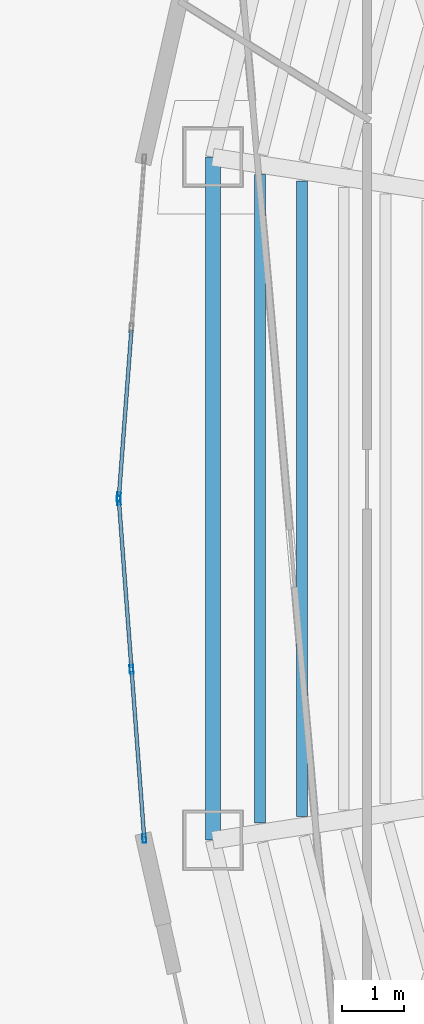
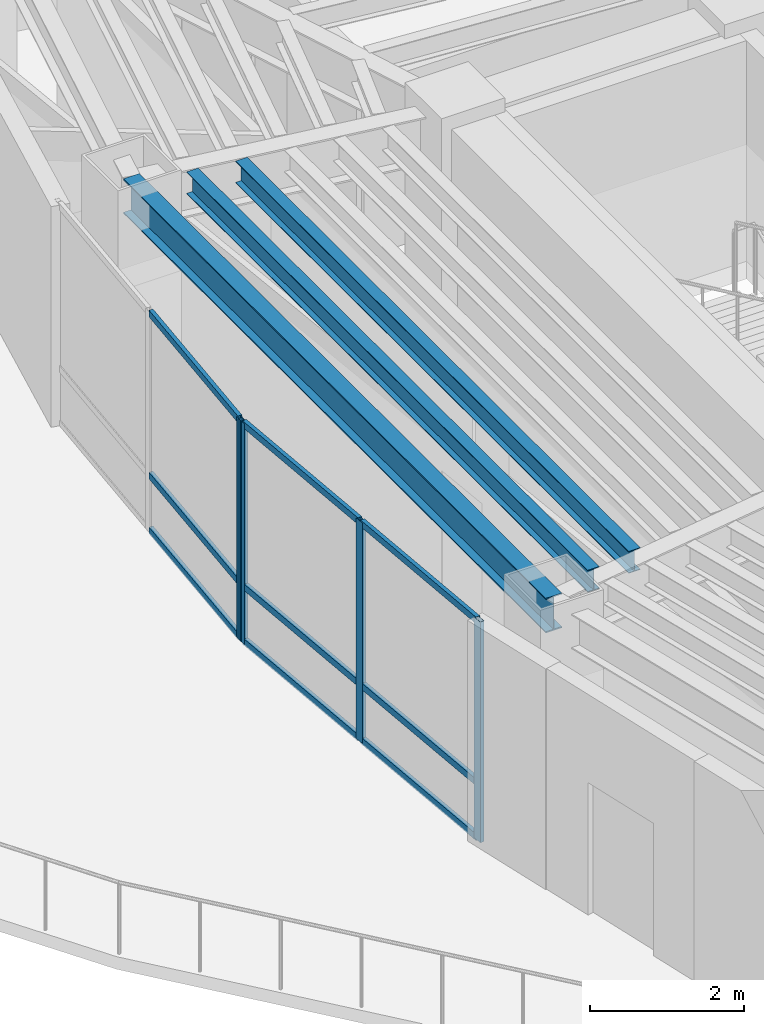
# One storey, part 2 of 17: 13 members, 3 beams, 2 elements without a shape of their own.
"""IFC4 building model written with IfcOpenShell, lengths in metres."""

import ifcopenshell
import ifcopenshell.guid

model = None  # the IFC model being written
_history = None  # IfcOwnerHistory: only IFC2X3 demands one
_inside = {}  # id of a spatial element -> (the spatial element, [elements in it])
_under = {}  # id of a project, library or spatial element -> (it, [spatial elements below it])
_declared = {}  # id of a project -> (the project, [libraries it declares])
_typed = {}  # id of a type object -> (the type object, [elements of that type])
_made_of = {}  # id of a material, layer set ... -> (it, [elements and type objects made of it])


def new_model(schema):
    """Start an empty IFC model of exactly this schema.

    Asked for "IFC4X3", IfcOpenShell would pick the latest addendum, in which some entities
    have other attributes; the version numbers below select the first issue.
    IFC2X3 requires an IfcOwnerHistory on every rooted entity: one is made here for all.
    """
    global model, _history
    if schema == "IFC4X3":
        model = ifcopenshell.file(schema_version=(4, 3, 0, 0))
    else:
        model = ifcopenshell.file(schema=schema)
    _inside.clear()
    _under.clear()
    _declared.clear()
    _typed.clear()
    _made_of.clear()
    _history = None
    if model.schema == "IFC2X3":
        org = make("IfcOrganization", Name="unknown")
        user = make(
            "IfcPersonAndOrganization",
            ThePerson=make("IfcPerson", FamilyName="unknown"),
            TheOrganization=org,
        )
        app = make(
            "IfcApplication",
            ApplicationDeveloper=org,
            Version="unknown",
            ApplicationFullName="unknown",
            ApplicationIdentifier="unknown",
        )
        _history = make(
            "IfcOwnerHistory",
            OwningUser=user,
            OwningApplication=app,
            ChangeAction="ADDED",
            CreationDate=0,
        )
    return model


def make(cls, **values):
    """One entity of the class cls with the attributes given. An attribute that is None is left unset."""
    return model.create_entity(
        cls, **{name: value for name, value in values.items() if value is not None}
    )


def rooted(cls, **values):
    """An entity with a GlobalId (a new one), such as an element, a storey or a relation."""
    return make(cls, GlobalId=ifcopenshell.guid.new(), OwnerHistory=_history, **values)


def si_unit(unit_type, name, prefix=None):
    """IfcSIUnit, for example si_unit("LENGTHUNIT", "METRE", prefix="MILLI")."""
    return make("IfcSIUnit", UnitType=unit_type, Prefix=prefix, Name=name)


def assignment(units):
    """IfcUnitAssignment: the units of a project."""
    return None if units is None else make("IfcUnitAssignment", Units=units)


def point(xyz):
    """IfcCartesianPoint."""
    return None if xyz is None else make("IfcCartesianPoint", Coordinates=xyz)


def direction(xyz):
    """IfcDirection."""
    return None if xyz is None else make("IfcDirection", DirectionRatios=xyz)


def frame(location, z_axis=None, x_axis=None):
    """IfcAxis2Placement3D, a coordinate frame: its origin and axes. An axis left out is left unset."""
    return make(
        "IfcAxis2Placement3D",
        Location=point(location),
        Axis=direction(z_axis),
        RefDirection=direction(x_axis),
    )


def frame_2d(location, x_axis=None):
    """IfcAxis2Placement2D, a coordinate frame in the plane: its origin and x axis."""
    return make(
        "IfcAxis2Placement2D", Location=point(location), RefDirection=direction(x_axis)
    )


def origin():
    """The frame at (0, 0, 0) with its axes left unset."""
    return frame((0.0, 0.0, 0.0))


def origin_2d():
    """The frame at (0, 0) in the plane with its x axis left unset."""
    return frame_2d((0.0, 0.0))


def place(relative_to, where):
    """IfcLocalPlacement: puts the frame where relative to a parent placement (None: the world)."""
    return make(
        "IfcLocalPlacement", PlacementRelTo=relative_to, RelativePlacement=where
    )


def context(
    kind, dimensions, precision=None, world=None, true_north=None, identifier=None
):
    """IfcGeometricRepresentationContext, for example the 3D "Model" context."""
    return make(
        "IfcGeometricRepresentationContext",
        ContextIdentifier=identifier,
        ContextType=kind,
        CoordinateSpaceDimension=dimensions,
        Precision=precision,
        WorldCoordinateSystem=world,
        TrueNorth=true_north,
    )


def subcontext(parent, identifier, kind, view, scale=None):
    """IfcGeometricRepresentationSubContext, for example "Body" below "Model"."""
    return make(
        "IfcGeometricRepresentationSubContext",
        ContextIdentifier=identifier,
        ContextType=kind,
        ParentContext=parent,
        TargetScale=scale,
        TargetView=view,
    )


def project(units=None, contexts=None):
    """IfcProject with its units and contexts."""
    return rooted(
        "IfcProject",
        Name="project",
        RepresentationContexts=contexts,
        UnitsInContext=assignment(units),
    )


def spatial(cls, under=None, at=None, **own):
    """A site, building, storey or space (cls), placed at a placement, below another one or the project."""
    s = rooted(cls, ObjectPlacement=at, **own)
    if under is not None:
        _under.setdefault(under.id(), (under, []))[1].append(s)
    return s


def profile(cls, at=None, kind="AREA", **sizes):
    """A parametric profile (cls). Its sizes go by their IFC names, for example OverallWidth=200.0."""
    return make(cls, ProfileType=kind, Position=at, **sizes)


def hollow_rectangle(**sizes):
    """IfcRectangleHollowProfileDef."""
    return profile("IfcRectangleHollowProfileDef", **sizes)


def i_section(**sizes):
    """IfcIShapeProfileDef."""
    return profile("IfcIShapeProfileDef", **sizes)


def extrude(swept, where, along, depth):
    """IfcExtrudedAreaSolid: the profile swept, set in the frame where, extruded along a direction by depth."""
    return make(
        "IfcExtrudedAreaSolid",
        SweptArea=swept,
        Position=where,
        ExtrudedDirection=direction(along),
        Depth=depth,
    )


def shape(context_of_items, identifier, shape_type, items):
    """IfcShapeRepresentation: the items that make up one representation, for example the "Body"."""
    return make(
        "IfcShapeRepresentation",
        ContextOfItems=context_of_items,
        RepresentationIdentifier=identifier,
        RepresentationType=shape_type,
        Items=items,
    )


def material(Name=None, Category=None):
    """IfcMaterial."""
    return make("IfcMaterial", Name=Name, Category=Category)


def layer(
    of_material, thickness, ventilated=None, Name=None, Category=None, Priority=None
):
    """IfcMaterialLayer: one layer of a wall or slab, of a material (None: an air gap)."""
    return make(
        "IfcMaterialLayer",
        Material=of_material,
        LayerThickness=thickness,
        IsVentilated=ventilated,
        Name=Name,
        Category=Category,
        Priority=Priority,
    )


def layer_set(layers, Name=None):
    """IfcMaterialLayerSet."""
    return make("IfcMaterialLayerSet", MaterialLayers=layers, LayerSetName=Name)


def material_profile(
    of_material, cross_section, Name=None, Category=None, Priority=None
):
    """IfcMaterialProfile: a cross section and its material."""
    return make(
        "IfcMaterialProfile",
        Name=Name,
        Material=of_material,
        Profile=cross_section,
        Priority=Priority,
        Category=Category,
    )


def profile_set(profiles, Name=None, composite=None):
    """IfcMaterialProfileSet."""
    return make(
        "IfcMaterialProfileSet",
        Name=Name,
        MaterialProfiles=profiles,
        CompositeProfile=composite,
    )


def made_of(thing, what):
    """Note that an element or type object is made of a material, layer set ...; save() writes the relation."""
    if what is not None:
        _made_of.setdefault(what.id(), (what, []))[1].append(thing)
    return thing


def type_object(cls, material=None, **own):
    """A type object (cls), such as IfcWallType, which elements share."""
    return made_of(rooted(cls, **own), material)


def element(
    cls,
    number,
    at=None,
    inside=None,
    cuts=None,
    type_object=None,
    material=None,
    context=None,
    identifier="Body",
    shape_type=None,
    held_by="IfcProductDefinitionShape",
    body=None,
    shapes=None,
    **own,
):
    """One element of the class cls, such as IfcWall. Its Tag is "e" and its number.

    at: its placement. inside: the storey or other place that contains it. cuts: it is an
    opening in that element (IfcRelVoidsElement). A single representation is given by context,
    identifier, shape_type and body (its items); several are given by shapes. held_by: the class
    of the entity that holds the representations. save() writes the other relations.
    """
    e = rooted(cls, Tag="e%d" % number, ObjectPlacement=at, **own)
    if body is not None:
        shapes = [shape(context, identifier, shape_type, body)]
    if shapes is not None:
        e.Representation = make(held_by, Representations=shapes)
    if inside is not None:
        _inside.setdefault(inside.id(), (inside, []))[1].append(e)
    if cuts is not None:
        rooted(
            "IfcRelVoidsElement", RelatingBuildingElement=cuts, RelatedOpeningElement=e
        )
    if type_object is not None:
        _typed.setdefault(type_object.id(), (type_object, []))[1].append(e)
    return made_of(e, material)


def aggregate(whole, parts):
    """IfcRelAggregates: a whole, such as a stair, and the parts it consists of."""
    return rooted("IfcRelAggregates", RelatingObject=whole, RelatedObjects=parts)


def save(model, path):
    """Write the relations noted so far, then the file.

    IfcRelAggregates (storeys below a building ...), IfcRelContainedInSpatialStructure (elements
    in a storey), IfcRelDefinesByType, IfcRelAssociatesMaterial and IfcRelDeclares: one each for
    every whole, place, type object, material and project.
    """
    for whole, parts in _under.values():
        aggregate(whole, parts)
    for where, things in _inside.values():
        rooted(
            "IfcRelContainedInSpatialStructure",
            RelatedElements=things,
            RelatingStructure=where,
        )
    for kind, things in _typed.values():
        rooted("IfcRelDefinesByType", RelatedObjects=things, RelatingType=kind)
    for what, things in _made_of.values():
        rooted("IfcRelAssociatesMaterial", RelatedObjects=things, RelatingMaterial=what)
    for by, libraries in _declared.values():
        rooted("IfcRelDeclares", RelatingContext=by, RelatedDefinitions=libraries)
    model.write(path)


model = new_model("IFC4")

# Units and contexts
model_context = context("Model", 3, precision=1e-05, world=origin(), true_north=direction((0.0, 1.0)))
body_context = subcontext(model_context, "Body", "Model", "MODEL_VIEW")
ifc_project = project(units=[si_unit("LENGTHUNIT", "METRE"), si_unit("AREAUNIT", "SQUARE_METRE"), si_unit("VOLUMEUNIT", "CUBIC_METRE"), si_unit("PLANEANGLEUNIT", "RADIAN"), si_unit("MASSUNIT", "GRAM", prefix="KILO")], contexts=[model_context])

# Site, building, storey
site_placement = place(None, origin())
site = spatial("IfcSite", under=ifc_project, at=site_placement, CompositionType="ELEMENT")
building_placement = place(site_placement, origin())
building = spatial("IfcBuilding", under=site, at=building_placement, Name="Menara Vayukalpa", CompositionType="ELEMENT")
storey_placement = place(building_placement, frame((0.0, 0.0, 206.39990234375)))
storey = spatial("IfcBuildingStorey", under=building, at=storey_placement, Name="L52", CompositionType="ELEMENT", Elevation=206.39990234375)

# Beams
ifc_material_1 = material(Name="Steel S355", Category="steel")
ifc_material_profile_1 = material_profile(ifc_material_1, i_section(OverallWidth=0.175048828125, OverallDepth=0.35009765625, WebThickness=0.007080078125, FlangeThickness=0.010986328125, at=origin_2d()), Name="WF 350x175x7x11")
ifc_profile_set_1 = profile_set([ifc_material_profile_1], Name="Steel S355")
beam_type_1 = type_object("IfcBeamType", Name="BM-SJ3", PredefinedType="JOIST", material=ifc_profile_set_1)
beam_1_placement = place(storey_placement, frame((14.77490234375, 27.10791015625, 3.3251953125), z_axis=(0.0, -1.0, 0.0), x_axis=(1.0, 0.0, 0.0)))
element("IfcBeam", 1, at=beam_1_placement, inside=storey, type_object=beam_type_1, Name="L52 Secondary Floor Joist SJ05-4", PredefinedType="JOIST", context=body_context, shape_type="SweptSolid", body=[
    extrude(i_section(OverallWidth=0.175048828125, OverallDepth=0.35009765625, WebThickness=0.007080078125, FlangeThickness=0.010986328125, at=origin_2d()), origin(), (0.0, 0.0, 1.0), 10.2158203125),
])
beam_2_placement = place(storey_placement, frame((14.1015625, 27.2119140625, 3.3251953125), z_axis=(0.0, -1.0, 0.0), x_axis=(1.0, 0.0, 0.0)))
element("IfcBeam", 2, at=beam_2_placement, inside=storey, type_object=beam_type_1, Name="L52 Secondary Floor Joist SJ05-5", PredefinedType="JOIST", context=body_context, shape_type="SweptSolid", body=[
    extrude(i_section(OverallWidth=0.175048828125, OverallDepth=0.35009765625, WebThickness=0.007080078125, FlangeThickness=0.010986328125, at=origin_2d()), origin(), (0.0, 0.0, 1.0), 10.423828125),
])
ifc_material_2 = material(Name="Steel S355", Category="steel")
ifc_material_profile_2 = material_profile(ifc_material_2, i_section(OverallWidth=0.239990234375, OverallDepth=0.550048828125, WebThickness=0.010986328125, FlangeThickness=0.01904296875, at=origin_2d()), Name="WF 550x240x11x19")
ifc_profile_set_2 = profile_set([ifc_material_profile_2], Name="Steel S355")
beam_type_2 = type_object("IfcBeamType", Name="BM-SP2", PredefinedType="SPANDREL", material=ifc_profile_set_2)
beam_3_placement = place(storey_placement, frame((13.343994140625, 27.4892578125, 3.22509765625), z_axis=(0.0, -1.0, 0.0), x_axis=(1.0, 0.0, 0.0)))
element("IfcBeam", 3, at=beam_3_placement, inside=storey, type_object=beam_type_2, Name="L52 Perimeter Spandrel Beam SP05", PredefinedType="SPANDREL", context=body_context, shape_type="SweptSolid", body=[
    extrude(i_section(OverallWidth=0.239990234375, OverallDepth=0.550048828125, WebThickness=0.010986328125, FlangeThickness=0.01904296875, at=origin_2d()), origin(), (0.0, 0.0, 1.0), 10.978515625),
])

# Curtain wall, member
ifc_material_3 = material(Name="Anodised Terracotta Aluminium Alloy 6063-T6", Category="masonry")
ifc_layer = layer(ifc_material_3, 0.139892578125)
ifc_layer_set = layer_set([ifc_layer], Name="Anodised Terracotta Aluminium Alloy 6063-T6")
curtain_wall_type = type_object("IfcCurtainWallType", Name="CW-CW5", PredefinedType="USERDEFINED", material=ifc_layer_set)
curtain_wall_1_placement = place(storey_placement, origin())
curtain_wall_1 = element("IfcCurtainWall", 4, at=curtain_wall_1_placement, inside=storey, type_object=curtain_wall_type, Name="L52 High Rise Tapered Curtain Wall CW5 10", ObjectType="UNITISED", PredefinedType="USERDEFINED")
ifc_material_4 = material(Name="Anodised Terracotta Aluminium Alloy 6063-T6", Category="masonry")
ifc_material_profile_3 = material_profile(ifc_material_4, hollow_rectangle(XDim=0.06005859375, YDim=0.139892578125, WallThickness=0.00341796875, at=origin_2d()), Name="ALU 60x140x3.5")
ifc_profile_set_3 = profile_set([ifc_material_profile_3], Name="Anodised Terracotta Aluminium Alloy 6063-T6")
member_type_1 = type_object("IfcMemberType", Name="CWM-CW5", PredefinedType="MULLION", material=ifc_profile_set_3)
member_1_placement = place(storey_placement, frame((11.83447265625, 22.030029296875, 0.0), z_axis=(0.0, 0.0, 1.0), x_axis=(0.9971991744, -0.074791754736, 0.0)))
member_1 = element("IfcMember", 5, at=member_1_placement, type_object=member_type_1, Name="CW5 mullion 3", PredefinedType="MULLION", context=body_context, shape_type="SweptSolid", body=[
    extrude(hollow_rectangle(XDim=0.06005859375, YDim=0.139892578125, WallThickness=0.00341796875, at=origin_2d()), origin(), (0.0, 0.0, 1.0), 3.5),
])

# Curtain wall, members
curtain_wall_2_placement = place(storey_placement, origin())
curtain_wall_2 = element("IfcCurtainWall", 6, at=curtain_wall_2_placement, inside=storey, type_object=curtain_wall_type, Name="L52 High Rise Tapered Curtain Wall CW5 11", ObjectType="UNITISED", PredefinedType="USERDEFINED")
member_2_placement = place(storey_placement, frame((11.83447265625, 21.969970703125, 0.0), z_axis=(0.0, 0.0, 1.0), x_axis=(0.9971991744, 0.074791754736, 0.0)))
member_2 = element("IfcMember", 7, at=member_2_placement, type_object=member_type_1, Name="CW5 mullion 1", PredefinedType="MULLION", context=body_context, shape_type="SweptSolid", body=[
    extrude(hollow_rectangle(XDim=0.06005859375, YDim=0.139892578125, WallThickness=0.00341796875, at=origin_2d()), origin(), (0.0, 0.0, 1.0), 3.5),
])
member_3_placement = place(storey_placement, frame((12.0380859375, 19.25537109375, 0.0), z_axis=(0.0, 0.0, 1.0), x_axis=(0.9971991744, 0.074791754736, 0.0)))
member_3 = element("IfcMember", 8, at=member_3_placement, type_object=member_type_1, Name="CW5 mullion 2", PredefinedType="MULLION", context=body_context, shape_type="SweptSolid", body=[
    extrude(hollow_rectangle(XDim=0.06005859375, YDim=0.139892578125, WallThickness=0.00341796875, at=origin_2d()), origin(), (0.0, 0.0, 1.0), 3.5),
])
member_4_placement = place(storey_placement, frame((12.24169921875, 16.540771484375, 0.0), z_axis=(0.0, 0.0, 1.0), x_axis=(0.9971991744, 0.074791754736, 0.0)))
member_4 = element("IfcMember", 9, at=member_4_placement, type_object=member_type_1, Name="CW5 mullion 3", PredefinedType="MULLION", context=body_context, shape_type="SweptSolid", body=[
    extrude(hollow_rectangle(XDim=0.06005859375, YDim=0.139892578125, WallThickness=0.00341796875, at=origin_2d()), origin(), (0.0, 0.0, 1.0), 3.5),
])

# Member
ifc_material_5 = material(Name="Anodised Terracotta Aluminium Alloy 6063-T6", Category="masonry")
ifc_material_profile_4 = material_profile(ifc_material_5, hollow_rectangle(XDim=0.06005859375, YDim=0.10498046875, WallThickness=0.0029296875, at=origin_2d()), Name="ALU 60x105x3")
ifc_profile_set_4 = profile_set([ifc_material_profile_4], Name="Anodised Terracotta Aluminium Alloy 6063-T6")
member_type_2 = type_object("IfcMemberType", Name="CWT-CW5", PredefinedType="USERDEFINED", material=ifc_profile_set_4)
member_5_placement = place(storey_placement, frame((12.035888671875, 24.714599609375, 0.030029296875), z_axis=(-0.074830984436, -0.997196231325, 0.0), x_axis=(0.997196231325, -0.074830984436, 0.0)))
member_5 = element("IfcMember", 10, at=member_5_placement, type_object=member_type_2, Name="CW5 transom 2.1", ObjectType="TRANSOM", PredefinedType="USERDEFINED", context=body_context, shape_type="SweptSolid", body=[
    extrude(hollow_rectangle(XDim=0.06005859375, YDim=0.10498046875, WallThickness=0.0029296875, at=origin_2d()), origin(), (0.0, 0.0, 1.0), 2.662353515625),
])

member_6_placement = place(storey_placement, frame((12.035888671875, 24.714599609375, 0.900146484375), z_axis=(-0.074830984436, -0.997196231325, 0.0), x_axis=(0.997196231325, -0.074830984436, 0.0)))
member_6 = element("IfcMember", 11, at=member_6_placement, type_object=member_type_2, Name="CW5 transom 2.2", ObjectType="TRANSOM", PredefinedType="USERDEFINED", context=body_context, shape_type="SweptSolid", body=[
    extrude(hollow_rectangle(XDim=0.06005859375, YDim=0.10498046875, WallThickness=0.0029296875, at=origin_2d()), origin(), (0.0, 0.0, 1.0), 2.662353515625),
])

member_7_placement = place(storey_placement, frame((12.035888671875, 24.714599609375, 3.47021484375), z_axis=(-0.074830984436, -0.997196231325, 0.0), x_axis=(0.997196231325, -0.074830984436, 0.0)))
member_7 = element("IfcMember", 12, at=member_7_placement, type_object=member_type_2, Name="CW5 transom 2.3", ObjectType="TRANSOM", PredefinedType="USERDEFINED", context=body_context, shape_type="SweptSolid", body=[
    extrude(hollow_rectangle(XDim=0.06005859375, YDim=0.10498046875, WallThickness=0.0029296875, at=origin_2d()), origin(), (0.0, 0.0, 1.0), 2.662353515625),
])

aggregate(curtain_wall_1, [member_1, member_5, member_6, member_7])

member_8_placement = place(storey_placement, frame((11.836669921875, 21.940185546875, 0.030029296875), z_axis=(0.074830984436, -0.997196231325, 0.0), x_axis=(0.997196231325, 0.074830984436, 0.0)))
member_8 = element("IfcMember", 13, at=member_8_placement, type_object=member_type_2, Name="CW5 transom 1.1", ObjectType="TRANSOM", PredefinedType="USERDEFINED", context=body_context, shape_type="SweptSolid", body=[
    extrude(hollow_rectangle(XDim=0.06005859375, YDim=0.10498046875, WallThickness=0.0029296875, at=origin_2d()), origin(), (0.0, 0.0, 1.0), 2.662353515625),
])

member_9_placement = place(storey_placement, frame((11.836669921875, 21.940185546875, 0.900146484375), z_axis=(0.074830984436, -0.997196231325, 0.0), x_axis=(0.997196231325, 0.074830984436, 0.0)))
member_9 = element("IfcMember", 14, at=member_9_placement, type_object=member_type_2, Name="CW5 transom 1.2", ObjectType="TRANSOM", PredefinedType="USERDEFINED", context=body_context, shape_type="SweptSolid", body=[
    extrude(hollow_rectangle(XDim=0.06005859375, YDim=0.10498046875, WallThickness=0.0029296875, at=origin_2d()), origin(), (0.0, 0.0, 1.0), 2.662353515625),
])

member_10_placement = place(storey_placement, frame((11.836669921875, 21.940185546875, 3.47021484375), z_axis=(0.074830984436, -0.997196231325, 0.0), x_axis=(0.997196231325, 0.074830984436, 0.0)))
member_10 = element("IfcMember", 15, at=member_10_placement, type_object=member_type_2, Name="CW5 transom 1.3", ObjectType="TRANSOM", PredefinedType="USERDEFINED", context=body_context, shape_type="SweptSolid", body=[
    extrude(hollow_rectangle(XDim=0.06005859375, YDim=0.10498046875, WallThickness=0.0029296875, at=origin_2d()), origin(), (0.0, 0.0, 1.0), 2.662353515625),
])

member_11_placement = place(storey_placement, frame((12.040283203125, 19.2255859375, 0.030029296875), z_axis=(0.074824141952, -0.997196744771, 0.0), x_axis=(0.997196744771, 0.074824141952, 0.0)))
member_11 = element("IfcMember", 16, at=member_11_placement, type_object=member_type_2, Name="CW5 transom 2.1", ObjectType="TRANSOM", PredefinedType="USERDEFINED", context=body_context, shape_type="SweptSolid", body=[
    extrude(hollow_rectangle(XDim=0.06005859375, YDim=0.10498046875, WallThickness=0.0029296875, at=origin_2d()), origin(), (0.0, 0.0, 1.0), 2.66259765625),
])

member_12_placement = place(storey_placement, frame((12.040283203125, 19.2255859375, 0.900146484375), z_axis=(0.074824141952, -0.997196744771, 0.0), x_axis=(0.997196744771, 0.074824141952, 0.0)))
member_12 = element("IfcMember", 17, at=member_12_placement, type_object=member_type_2, Name="CW5 transom 2.2", ObjectType="TRANSOM", PredefinedType="USERDEFINED", context=body_context, shape_type="SweptSolid", body=[
    extrude(hollow_rectangle(XDim=0.06005859375, YDim=0.10498046875, WallThickness=0.0029296875, at=origin_2d()), origin(), (0.0, 0.0, 1.0), 2.66259765625),
])

member_13_placement = place(storey_placement, frame((12.040283203125, 19.2255859375, 3.47021484375), z_axis=(0.074824141952, -0.997196744771, 0.0), x_axis=(0.997196744771, 0.074824141952, 0.0)))
member_13 = element("IfcMember", 18, at=member_13_placement, type_object=member_type_2, Name="CW5 transom 2.3", ObjectType="TRANSOM", PredefinedType="USERDEFINED", context=body_context, shape_type="SweptSolid", body=[
    extrude(hollow_rectangle(XDim=0.06005859375, YDim=0.10498046875, WallThickness=0.0029296875, at=origin_2d()), origin(), (0.0, 0.0, 1.0), 2.66259765625),
])

aggregate(curtain_wall_2, [member_2, member_3, member_4, member_8, member_9, member_10, member_11, member_12, member_13])

save(model, "model.ifc")
